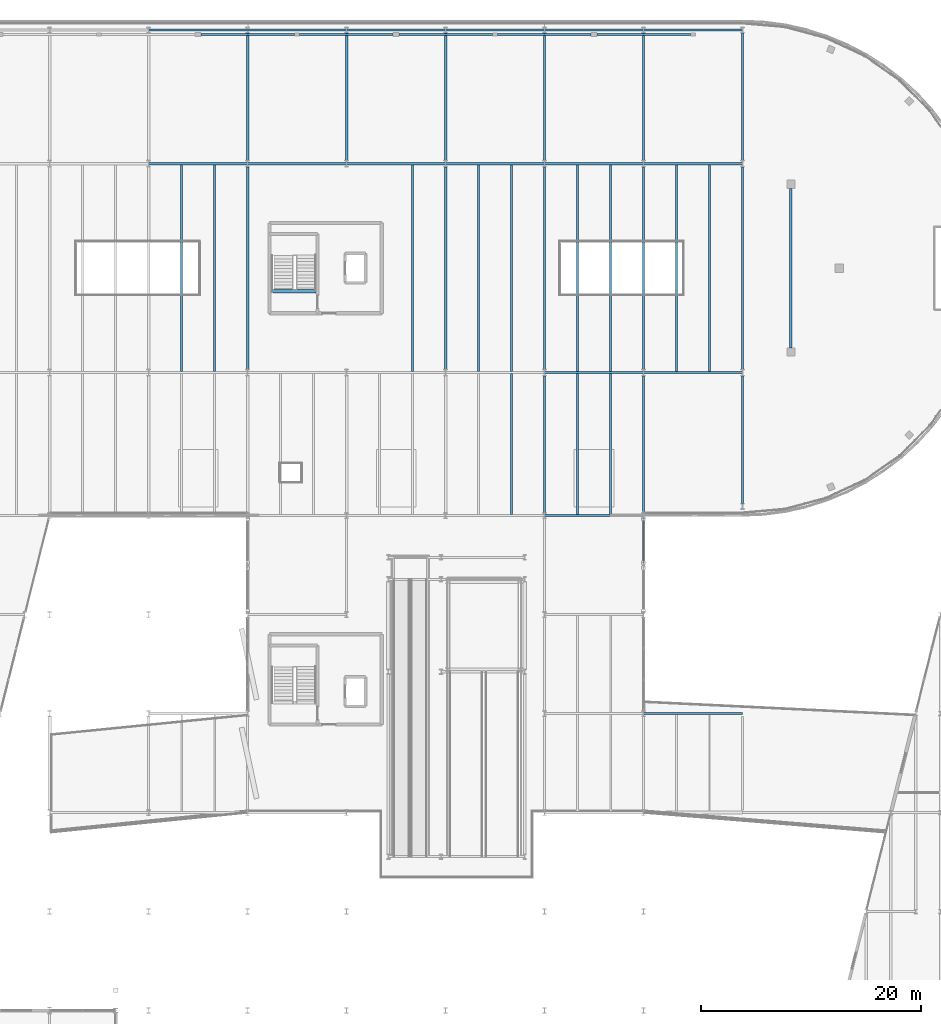
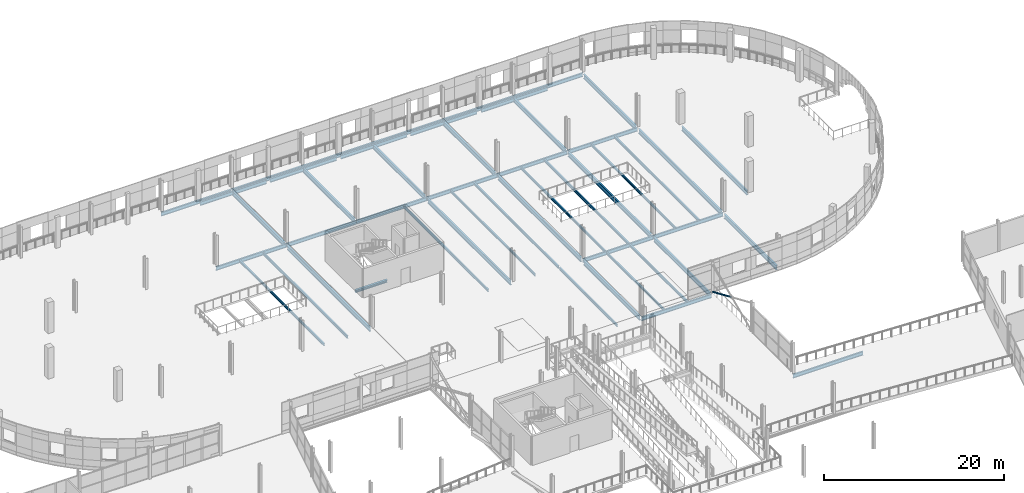
# One storey, part 75 of 135: 49 beams, 1 member.
"""IFC4 building model written with IfcOpenShell, lengths in metres."""

import ifcopenshell
import ifcopenshell.guid

model = None  # the IFC model being written
_history = None  # IfcOwnerHistory: only IFC2X3 demands one
_inside = {}  # id of a spatial element -> (the spatial element, [elements in it])
_under = {}  # id of a project, library or spatial element -> (it, [spatial elements below it])
_declared = {}  # id of a project -> (the project, [libraries it declares])
_typed = {}  # id of a type object -> (the type object, [elements of that type])
_made_of = {}  # id of a material, layer set ... -> (it, [elements and type objects made of it])


def new_model(schema):
    """Start an empty IFC model of exactly this schema.

    Asked for "IFC4X3", IfcOpenShell would pick the latest addendum, in which some entities
    have other attributes; the version numbers below select the first issue.
    IFC2X3 requires an IfcOwnerHistory on every rooted entity: one is made here for all.
    """
    global model, _history
    if schema == "IFC4X3":
        model = ifcopenshell.file(schema_version=(4, 3, 0, 0))
    else:
        model = ifcopenshell.file(schema=schema)
    _inside.clear()
    _under.clear()
    _declared.clear()
    _typed.clear()
    _made_of.clear()
    _history = None
    if model.schema == "IFC2X3":
        org = make("IfcOrganization", Name="unknown")
        user = make(
            "IfcPersonAndOrganization",
            ThePerson=make("IfcPerson", FamilyName="unknown"),
            TheOrganization=org,
        )
        app = make(
            "IfcApplication",
            ApplicationDeveloper=org,
            Version="unknown",
            ApplicationFullName="unknown",
            ApplicationIdentifier="unknown",
        )
        _history = make(
            "IfcOwnerHistory",
            OwningUser=user,
            OwningApplication=app,
            ChangeAction="ADDED",
            CreationDate=0,
        )
    return model


def make(cls, **values):
    """One entity of the class cls with the attributes given. An attribute that is None is left unset."""
    return model.create_entity(
        cls, **{name: value for name, value in values.items() if value is not None}
    )


def rooted(cls, **values):
    """An entity with a GlobalId (a new one), such as an element, a storey or a relation."""
    return make(cls, GlobalId=ifcopenshell.guid.new(), OwnerHistory=_history, **values)


def si_unit(unit_type, name, prefix=None):
    """IfcSIUnit, for example si_unit("LENGTHUNIT", "METRE", prefix="MILLI")."""
    return make("IfcSIUnit", UnitType=unit_type, Prefix=prefix, Name=name)


def assignment(units):
    """IfcUnitAssignment: the units of a project."""
    return None if units is None else make("IfcUnitAssignment", Units=units)


def point(xyz):
    """IfcCartesianPoint."""
    return None if xyz is None else make("IfcCartesianPoint", Coordinates=xyz)


def direction(xyz):
    """IfcDirection."""
    return None if xyz is None else make("IfcDirection", DirectionRatios=xyz)


def frame(location, z_axis=None, x_axis=None):
    """IfcAxis2Placement3D, a coordinate frame: its origin and axes. An axis left out is left unset."""
    return make(
        "IfcAxis2Placement3D",
        Location=point(location),
        Axis=direction(z_axis),
        RefDirection=direction(x_axis),
    )


def frame_2d(location, x_axis=None):
    """IfcAxis2Placement2D, a coordinate frame in the plane: its origin and x axis."""
    return make(
        "IfcAxis2Placement2D", Location=point(location), RefDirection=direction(x_axis)
    )


def origin():
    """The frame at (0, 0, 0) with its axes left unset."""
    return frame((0.0, 0.0, 0.0))


def origin_2d():
    """The frame at (0, 0) in the plane with its x axis left unset."""
    return frame_2d((0.0, 0.0))


def place(relative_to, where):
    """IfcLocalPlacement: puts the frame where relative to a parent placement (None: the world)."""
    return make(
        "IfcLocalPlacement", PlacementRelTo=relative_to, RelativePlacement=where
    )


def context(
    kind, dimensions, precision=None, world=None, true_north=None, identifier=None
):
    """IfcGeometricRepresentationContext, for example the 3D "Model" context."""
    return make(
        "IfcGeometricRepresentationContext",
        ContextIdentifier=identifier,
        ContextType=kind,
        CoordinateSpaceDimension=dimensions,
        Precision=precision,
        WorldCoordinateSystem=world,
        TrueNorth=true_north,
    )


def subcontext(parent, identifier, kind, view, scale=None):
    """IfcGeometricRepresentationSubContext, for example "Body" below "Model"."""
    return make(
        "IfcGeometricRepresentationSubContext",
        ContextIdentifier=identifier,
        ContextType=kind,
        ParentContext=parent,
        TargetScale=scale,
        TargetView=view,
    )


def project(units=None, contexts=None):
    """IfcProject with its units and contexts."""
    return rooted(
        "IfcProject",
        Name="project",
        RepresentationContexts=contexts,
        UnitsInContext=assignment(units),
    )


def spatial(cls, under=None, at=None, **own):
    """A site, building, storey or space (cls), placed at a placement, below another one or the project."""
    s = rooted(cls, ObjectPlacement=at, **own)
    if under is not None:
        _under.setdefault(under.id(), (under, []))[1].append(s)
    return s


def profile(cls, at=None, kind="AREA", **sizes):
    """A parametric profile (cls). Its sizes go by their IFC names, for example OverallWidth=200.0."""
    return make(cls, ProfileType=kind, Position=at, **sizes)


def hollow_circle(**sizes):
    """IfcCircleHollowProfileDef."""
    return profile("IfcCircleHollowProfileDef", **sizes)


def i_section(**sizes):
    """IfcIShapeProfileDef."""
    return profile("IfcIShapeProfileDef", **sizes)


def extrude(swept, where, along, depth):
    """IfcExtrudedAreaSolid: the profile swept, set in the frame where, extruded along a direction by depth."""
    return make(
        "IfcExtrudedAreaSolid",
        SweptArea=swept,
        Position=where,
        ExtrudedDirection=direction(along),
        Depth=depth,
    )


def shape(context_of_items, identifier, shape_type, items):
    """IfcShapeRepresentation: the items that make up one representation, for example the "Body"."""
    return make(
        "IfcShapeRepresentation",
        ContextOfItems=context_of_items,
        RepresentationIdentifier=identifier,
        RepresentationType=shape_type,
        Items=items,
    )


def material(Name=None, Category=None):
    """IfcMaterial."""
    return make("IfcMaterial", Name=Name, Category=Category)


def material_profile(
    of_material, cross_section, Name=None, Category=None, Priority=None
):
    """IfcMaterialProfile: a cross section and its material."""
    return make(
        "IfcMaterialProfile",
        Name=Name,
        Material=of_material,
        Profile=cross_section,
        Priority=Priority,
        Category=Category,
    )


def profile_set(profiles, Name=None, composite=None):
    """IfcMaterialProfileSet."""
    return make(
        "IfcMaterialProfileSet",
        Name=Name,
        MaterialProfiles=profiles,
        CompositeProfile=composite,
    )


def made_of(thing, what):
    """Note that an element or type object is made of a material, layer set ...; save() writes the relation."""
    if what is not None:
        _made_of.setdefault(what.id(), (what, []))[1].append(thing)
    return thing


def type_object(cls, material=None, **own):
    """A type object (cls), such as IfcWallType, which elements share."""
    return made_of(rooted(cls, **own), material)


def element(
    cls,
    number,
    at=None,
    inside=None,
    cuts=None,
    type_object=None,
    material=None,
    context=None,
    identifier="Body",
    shape_type=None,
    held_by="IfcProductDefinitionShape",
    body=None,
    shapes=None,
    **own,
):
    """One element of the class cls, such as IfcWall. Its Tag is "e" and its number.

    at: its placement. inside: the storey or other place that contains it. cuts: it is an
    opening in that element (IfcRelVoidsElement). A single representation is given by context,
    identifier, shape_type and body (its items); several are given by shapes. held_by: the class
    of the entity that holds the representations. save() writes the other relations.
    """
    e = rooted(cls, Tag="e%d" % number, ObjectPlacement=at, **own)
    if body is not None:
        shapes = [shape(context, identifier, shape_type, body)]
    if shapes is not None:
        e.Representation = make(held_by, Representations=shapes)
    if inside is not None:
        _inside.setdefault(inside.id(), (inside, []))[1].append(e)
    if cuts is not None:
        rooted(
            "IfcRelVoidsElement", RelatingBuildingElement=cuts, RelatedOpeningElement=e
        )
    if type_object is not None:
        _typed.setdefault(type_object.id(), (type_object, []))[1].append(e)
    return made_of(e, material)


def aggregate(whole, parts):
    """IfcRelAggregates: a whole, such as a stair, and the parts it consists of."""
    return rooted("IfcRelAggregates", RelatingObject=whole, RelatedObjects=parts)


def save(model, path):
    """Write the relations noted so far, then the file.

    IfcRelAggregates (storeys below a building ...), IfcRelContainedInSpatialStructure (elements
    in a storey), IfcRelDefinesByType, IfcRelAssociatesMaterial and IfcRelDeclares: one each for
    every whole, place, type object, material and project.
    """
    for whole, parts in _under.values():
        aggregate(whole, parts)
    for where, things in _inside.values():
        rooted(
            "IfcRelContainedInSpatialStructure",
            RelatedElements=things,
            RelatingStructure=where,
        )
    for kind, things in _typed.values():
        rooted("IfcRelDefinesByType", RelatedObjects=things, RelatingType=kind)
    for what, things in _made_of.values():
        rooted("IfcRelAssociatesMaterial", RelatedObjects=things, RelatingMaterial=what)
    for by, libraries in _declared.values():
        rooted("IfcRelDeclares", RelatingContext=by, RelatedDefinitions=libraries)
    model.write(path)


model = new_model("IFC4")

# Units and contexts
model_context = context("Model", 3, precision=1e-05, world=origin(), true_north=direction((0.0, 1.0)))
body_context = subcontext(model_context, "Body", "Model", "MODEL_VIEW")
ifc_project = project(units=[si_unit("LENGTHUNIT", "METRE"), si_unit("AREAUNIT", "SQUARE_METRE"), si_unit("VOLUMEUNIT", "CUBIC_METRE"), si_unit("PLANEANGLEUNIT", "RADIAN"), si_unit("MASSUNIT", "GRAM", prefix="KILO")], contexts=[model_context])

# Site, building, storey
site_placement = place(None, origin())
site = spatial("IfcSite", under=ifc_project, at=site_placement, CompositionType="ELEMENT")
building_placement = place(site_placement, origin())
building = spatial("IfcBuilding", under=site, at=building_placement, Name="Deido Ridge Mobility Hub", CompositionType="ELEMENT")
storey_placement = place(building_placement, frame((0.0, 0.0, 4.199951171875)))
storey = spatial("IfcBuildingStorey", under=building, at=storey_placement, Name="L01", CompositionType="ELEMENT", Elevation=4.199951171875)

# Beams
ifc_material_1 = material(Name="Steel S355J2 EN 10025-2", Category="steel")
ifc_material_profile_1 = material_profile(ifc_material_1, i_section(OverallWidth=0.300048828125, OverallDepth=0.330078125, WebThickness=0.009521484375, FlangeThickness=0.0166015625, FilletRadius=0.027099609375, at=origin_2d()), Name="HEA 340")
ifc_profile_set_1 = profile_set([ifc_material_profile_1], Name="Steel S355J2 EN 10025-2")
beam_type_1 = type_object("IfcBeamType", Name="BM-HEA340", PredefinedType="BEAM", material=ifc_profile_set_1)
beam_1_placement = place(storey_placement, frame((74.14990234375, 101.39990234375, -0.4150390625), z_axis=(1.0, 0.0, 0.0), x_axis=(0.0, 1.0, 0.0)))
element("IfcBeam", 1, at=beam_1_placement, inside=storey, type_object=beam_type_1, Name="C5 stair landing trimmer beam B6", PredefinedType="BEAM", context=body_context, shape_type="SweptSolid", body=[
    extrude(i_section(OverallWidth=0.300048828125, OverallDepth=0.330078125, WebThickness=0.009521484375, FlangeThickness=0.0166015625, FilletRadius=0.027099609375, at=origin_2d()), origin(), (0.0, 0.0, 1.0), 4.085205078125),
])
ifc_material_profile_2 = material_profile(ifc_material_1, i_section(OverallWidth=0.199951171875, OverallDepth=0.5, WebThickness=0.01025390625, FlangeThickness=0.01611328125, FilletRadius=0.02099609375, at=origin_2d()), Name="IPE 500")
ifc_profile_set_2 = profile_set([ifc_material_profile_2], Name="Steel S355J2 EN 10025-2")
beam_type_2 = type_object("IfcBeamType", Name="BM-IPE500", PredefinedType="BEAM", material=ifc_profile_set_2)
for number, where, z_axis, x_axis, name in (
    (2, (108.007080078125, 63.0, -0.5), (1.0, 0.0, 0.0), (0.0, 1.0, 0.0), "Floor beam B3"),
    (3, (99.007080078125, 81.0, -0.5), (1.0, 0.0, 0.0), (0.0, 1.0, 0.0), "Floor beam B3"),
):
    element("IfcBeam", number, at=place(storey_placement, frame(where, z_axis=z_axis, x_axis=x_axis)), inside=storey, type_object=beam_type_2, Name=name, PredefinedType="BEAM", context=body_context, shape_type="SweptSolid", body=[
        extrude(i_section(OverallWidth=0.199951171875, OverallDepth=0.5, WebThickness=0.01025390625, FlangeThickness=0.01611328125, FilletRadius=0.02099609375, at=origin_2d()), origin(), (0.0, 0.0, 1.0), 8.98583984375),
    ])
for number, where, z_axis, x_axis, name in (
    (4, (99.0078125, 94.0, -0.5), (1.0, 0.0, 0.0), (0.0, 1.0, 0.0), "Floor beam B3"),
    (5, (108.0078125, 94.0, -0.5), (1.0, 0.0, 0.0), (0.0, 1.0, 0.0), "Floor beam B3"),
    (6, (63.0078125, 113.0, -0.5), (1.0, 0.0, 0.0), (0.0, 1.0, 0.0), "Floor beam B3"),
    (7, (72.0078125, 113.0, -0.5), (1.0, 0.0, 0.0), (0.0, 1.0, 0.0), "Floor beam B3"),
    (8, (81.0078125, 113.0, -0.5), (1.0, 0.0, 0.0), (0.0, 1.0, 0.0), "Floor beam B3"),
    (9, (90.0078125, 113.0, -0.5), (1.0, 0.0, 0.0), (0.0, 1.0, 0.0), "Floor beam B3"),
    (10, (99.0078125, 113.0, -0.5), (1.0, 0.0, 0.0), (0.0, 1.0, 0.0), "Floor beam B3"),
    (11, (108.0078125, 113.0, -0.5), (1.0, 0.0, 0.0), (0.0, 1.0, 0.0), "Floor beam B3"),
):
    element("IfcBeam", number, at=place(storey_placement, frame(where, z_axis=z_axis, x_axis=x_axis)), inside=storey, type_object=beam_type_2, Name=name, PredefinedType="BEAM", context=body_context, shape_type="SweptSolid", body=[
        extrude(i_section(OverallWidth=0.199951171875, OverallDepth=0.5, WebThickness=0.01025390625, FlangeThickness=0.01611328125, FilletRadius=0.02099609375, at=origin_2d()), origin(), (0.0, 0.0, 1.0), 8.984375),
    ])
for number, where, z_axis, x_axis, name in (
    (12, (63.007080078125, 125.14990234375, -0.5), (1.0, 0.0, 0.0), (0.0, 1.0, 0.0), "Floor beam B3"),
    (13, (72.007080078125, 125.14990234375, -0.5), (1.0, 0.0, 0.0), (0.0, 1.0, 0.0), "Floor beam B3"),
    (14, (81.007080078125, 125.14990234375, -0.5), (1.0, 0.0, 0.0), (0.0, 1.0, 0.0), "Floor beam B3"),
    (15, (90.007080078125, 125.14990234375, -0.5), (1.0, 0.0, 0.0), (0.0, 1.0, 0.0), "Floor beam B3"),
    (16, (99.007080078125, 125.14990234375, -0.5), (1.0, 0.0, 0.0), (0.0, 1.0, 0.0), "Floor beam B3"),
    (17, (108.007080078125, 125.14990234375, -0.5), (1.0, 0.0, 0.0), (0.0, 1.0, 0.0), "Floor beam B3"),
):
    element("IfcBeam", number, at=place(storey_placement, frame(where, z_axis=z_axis, x_axis=x_axis)), inside=storey, type_object=beam_type_2, Name=name, PredefinedType="BEAM", context=body_context, shape_type="SweptSolid", body=[
        extrude(i_section(OverallWidth=0.199951171875, OverallDepth=0.5, WebThickness=0.01025390625, FlangeThickness=0.01611328125, FilletRadius=0.02099609375, at=origin_2d()), origin(), (0.0, 0.0, 1.0), 8.98583984375),
    ])
for number, where, z_axis, x_axis, name in (
    (18, (67.77490234375, 124.75, -0.5), (1.0, 0.0, 0.0), (0.0, 1.0, 0.0), "Floor beam B3"),
    (19, (76.72509765625, 124.75, -0.5), (1.0, 0.0, 0.0), (0.0, 1.0, 0.0), "Floor beam B3"),
    (20, (85.77490234375, 124.75, -0.5), (1.0, 0.0, 0.0), (0.0, 1.0, 0.0), "Floor beam B3"),
    (21, (94.72509765625, 124.75, -0.5), (1.0, 0.0, 0.0), (0.0, 1.0, 0.0), "Floor beam B3"),
    (22, (103.77490234375, 124.75, -0.5), (1.0, 0.0, 0.0), (0.0, 1.0, 0.0), "Floor beam B3"),
):
    element("IfcBeam", number, at=place(storey_placement, frame(where, z_axis=z_axis, x_axis=x_axis)), inside=storey, type_object=beam_type_2, Name=name, PredefinedType="BEAM", context=body_context, shape_type="SweptSolid", body=[
        extrude(i_section(OverallWidth=0.199951171875, OverallDepth=0.5, WebThickness=0.01025390625, FlangeThickness=0.01611328125, FilletRadius=0.02099609375, at=origin_2d()), origin(), (0.0, 0.0, 1.0), 8.5),
    ])
ifc_material_profile_3 = material_profile(ifc_material_1, i_section(OverallWidth=0.219970703125, OverallDepth=0.60009765625, WebThickness=0.011962890625, FlangeThickness=0.01904296875, FilletRadius=0.02392578125, at=origin_2d()), Name="IPE 600")
ifc_profile_set_3 = profile_set([ifc_material_profile_3], Name="Steel S355J2 EN 10025-2")
beam_type_3 = type_object("IfcBeamType", Name="BM-IPE600", PredefinedType="BEAM", material=ifc_profile_set_3)
beam_2_placement = place(storey_placement, frame((72.0, 94.300048828125, -0.550048828125), z_axis=(0.0, 1.0, 0.0), x_axis=(-1.0, 0.0, 0.0)))
element("IfcBeam", 23, at=beam_2_placement, inside=storey, type_object=beam_type_3, Name="Floor beam B1", PredefinedType="BEAM", context=body_context, shape_type="SweptSolid", body=[
    extrude(i_section(OverallWidth=0.219970703125, OverallDepth=0.60009765625, WebThickness=0.011962890625, FlangeThickness=0.01904296875, FilletRadius=0.02392578125, at=origin_2d()), origin(), (0.0, 0.0, 1.0), 18.39990234375),
])
for number, where, z_axis, x_axis, name in (
    (24, (72.0, 113.300048828125, -0.550048828125), (0.0, 1.0, 0.0), (-1.0, 0.0, 0.0), "Floor beam B1"),
    (25, (81.0, 113.300048828125, -0.550048828125), (0.0, 1.0, 0.0), (-1.0, 0.0, 0.0), "Floor beam B1"),
):
    element("IfcBeam", number, at=place(storey_placement, frame(where, z_axis=z_axis, x_axis=x_axis)), inside=storey, type_object=beam_type_3, Name=name, PredefinedType="BEAM", context=body_context, shape_type="SweptSolid", body=[
        extrude(i_section(OverallWidth=0.219970703125, OverallDepth=0.60009765625, WebThickness=0.011962890625, FlangeThickness=0.01904296875, FilletRadius=0.02392578125, at=origin_2d()), origin(), (0.0, 0.0, 1.0), 11.599853515625),
    ])
beam_3_placement = place(storey_placement, frame((90.0, 94.300048828125, -0.550048828125), z_axis=(0.0, 1.0, 0.0), x_axis=(-1.0, 0.0, 0.0)))
element("IfcBeam", 26, at=beam_3_placement, inside=storey, type_object=beam_type_3, Name="Floor beam B1", PredefinedType="BEAM", context=body_context, shape_type="SweptSolid", body=[
    extrude(i_section(OverallWidth=0.219970703125, OverallDepth=0.60009765625, WebThickness=0.011962890625, FlangeThickness=0.01904296875, FilletRadius=0.02392578125, at=origin_2d()), origin(), (0.0, 0.0, 1.0), 18.39990234375),
])
beam_4_placement = place(storey_placement, frame((90.0, 113.300048828125, -0.550048828125), z_axis=(0.0, 1.0, 0.0), x_axis=(-1.0, 0.0, 0.0)))
element("IfcBeam", 27, at=beam_4_placement, inside=storey, type_object=beam_type_3, Name="Floor beam B1", PredefinedType="BEAM", context=body_context, shape_type="SweptSolid", body=[
    extrude(i_section(OverallWidth=0.219970703125, OverallDepth=0.60009765625, WebThickness=0.011962890625, FlangeThickness=0.01904296875, FilletRadius=0.02392578125, at=origin_2d()), origin(), (0.0, 0.0, 1.0), 11.599853515625),
])
beam_5_placement = place(storey_placement, frame((99.0, 81.25, -0.550048828125), z_axis=(0.0, 1.0, 0.0), x_axis=(-1.0, 0.0, 0.0)))
element("IfcBeam", 28, at=beam_5_placement, inside=storey, type_object=beam_type_3, Name="Floor beam B1", PredefinedType="BEAM", context=body_context, shape_type="SweptSolid", body=[
    extrude(i_section(OverallWidth=0.219970703125, OverallDepth=0.60009765625, WebThickness=0.011962890625, FlangeThickness=0.01904296875, FilletRadius=0.02392578125, at=origin_2d()), origin(), (0.0, 0.0, 1.0), 12.449951171875),
])
beam_6_placement = place(storey_placement, frame((99.0, 94.300048828125, -0.550048828125), z_axis=(0.0, 1.0, 0.0), x_axis=(-1.0, 0.0, 0.0)))
element("IfcBeam", 29, at=beam_6_placement, inside=storey, type_object=beam_type_3, Name="Floor beam B1", PredefinedType="BEAM", context=body_context, shape_type="SweptSolid", body=[
    extrude(i_section(OverallWidth=0.219970703125, OverallDepth=0.60009765625, WebThickness=0.011962890625, FlangeThickness=0.01904296875, FilletRadius=0.02392578125, at=origin_2d()), origin(), (0.0, 0.0, 1.0), 18.39990234375),
])
beam_7_placement = place(storey_placement, frame((99.0, 113.300048828125, -0.550048828125), z_axis=(0.0, 1.0, 0.0), x_axis=(-1.0, 0.0, 0.0)))
element("IfcBeam", 30, at=beam_7_placement, inside=storey, type_object=beam_type_3, Name="Floor beam B1", PredefinedType="BEAM", context=body_context, shape_type="SweptSolid", body=[
    extrude(i_section(OverallWidth=0.219970703125, OverallDepth=0.60009765625, WebThickness=0.011962890625, FlangeThickness=0.01904296875, FilletRadius=0.02392578125, at=origin_2d()), origin(), (0.0, 0.0, 1.0), 11.599853515625),
])
beam_8_placement = place(storey_placement, frame((108.0, 81.25, -0.550048828125), z_axis=(0.0, 1.0, 0.0), x_axis=(-1.0, 0.0, 0.0)))
element("IfcBeam", 31, at=beam_8_placement, inside=storey, type_object=beam_type_3, Name="Floor beam B1", PredefinedType="BEAM", context=body_context, shape_type="SweptSolid", body=[
    extrude(i_section(OverallWidth=0.219970703125, OverallDepth=0.60009765625, WebThickness=0.011962890625, FlangeThickness=0.01904296875, FilletRadius=0.02392578125, at=origin_2d()), origin(), (0.0, 0.0, 1.0), 12.449951171875),
])
beam_9_placement = place(storey_placement, frame((108.0, 94.300048828125, -0.550048828125), z_axis=(0.0, 1.0, 0.0), x_axis=(-1.0, 0.0, 0.0)))
element("IfcBeam", 32, at=beam_9_placement, inside=storey, type_object=beam_type_3, Name="Floor beam B1", PredefinedType="BEAM", context=body_context, shape_type="SweptSolid", body=[
    extrude(i_section(OverallWidth=0.219970703125, OverallDepth=0.60009765625, WebThickness=0.011962890625, FlangeThickness=0.01904296875, FilletRadius=0.02392578125, at=origin_2d()), origin(), (0.0, 0.0, 1.0), 18.39990234375),
])
for number, where, z_axis, x_axis, name in (
    (33, (108.0, 113.300048828125, -0.550048828125), (0.0, 1.0, 0.0), (-1.0, 0.0, 0.0), "Floor beam B1"),
    (34, (117.0, 82.10009765625, -0.550048828125), (0.0, 1.0, 0.0), (-1.0, 0.0, 0.0), "Floor beam B1"),
):
    element("IfcBeam", number, at=place(storey_placement, frame(where, z_axis=z_axis, x_axis=x_axis)), inside=storey, type_object=beam_type_3, Name=name, PredefinedType="BEAM", context=body_context, shape_type="SweptSolid", body=[
        extrude(i_section(OverallWidth=0.219970703125, OverallDepth=0.60009765625, WebThickness=0.011962890625, FlangeThickness=0.01904296875, FilletRadius=0.02392578125, at=origin_2d()), origin(), (0.0, 0.0, 1.0), 11.599853515625),
    ])
beam_10_placement = place(storey_placement, frame((117.0, 94.300048828125, -0.550048828125), z_axis=(0.0, 1.0, 0.0), x_axis=(-1.0, 0.0, 0.0)))
element("IfcBeam", 35, at=beam_10_placement, inside=storey, type_object=beam_type_3, Name="Floor beam B1", PredefinedType="BEAM", context=body_context, shape_type="SweptSolid", body=[
    extrude(i_section(OverallWidth=0.219970703125, OverallDepth=0.60009765625, WebThickness=0.011962890625, FlangeThickness=0.01904296875, FilletRadius=0.02392578125, at=origin_2d()), origin(), (0.0, 0.0, 1.0), 18.39990234375),
])
beam_11_placement = place(storey_placement, frame((117.0, 113.300048828125, -0.550048828125), z_axis=(0.0, 1.0, 0.0), x_axis=(-1.0, 0.0, 0.0)))
element("IfcBeam", 36, at=beam_11_placement, inside=storey, type_object=beam_type_3, Name="Floor beam B1", PredefinedType="BEAM", context=body_context, shape_type="SweptSolid", body=[
    extrude(i_section(OverallWidth=0.219970703125, OverallDepth=0.60009765625, WebThickness=0.011962890625, FlangeThickness=0.01904296875, FilletRadius=0.02392578125, at=origin_2d()), origin(), (0.0, 0.0, 1.0), 11.599853515625),
])
beam_12_placement = place(storey_placement, frame((121.39990234375, 96.2548828125, -0.550048828125), z_axis=(0.0, 1.0, 0.0), x_axis=(-1.0, 0.0, 0.0)))
element("IfcBeam", 37, at=beam_12_placement, inside=storey, type_object=beam_type_3, Name="Floor beam B1", PredefinedType="BEAM", context=body_context, shape_type="SweptSolid", body=[
    extrude(i_section(OverallWidth=0.219970703125, OverallDepth=0.60009765625, WebThickness=0.011962890625, FlangeThickness=0.01904296875, FilletRadius=0.02392578125, at=origin_2d()), origin(), (0.0, 0.0, 1.0), 14.490234375),
])
ifc_material_profile_4 = material_profile(ifc_material_1, i_section(OverallWidth=0.159912109375, OverallDepth=0.330078125, WebThickness=0.007568359375, FlangeThickness=0.011474609375, FilletRadius=0.01806640625, at=origin_2d()), Name="IPE 330")
ifc_profile_set_4 = profile_set([ifc_material_profile_4], Name="Steel S355J2 EN 10025-2")
beam_type_4 = type_object("IfcBeamType", Name="JST-IPE330", PredefinedType="JOIST", material=ifc_profile_set_4)
beam_13_placement = place(storey_placement, frame((102.0, 81.10009765625, -0.4150390625), z_axis=(0.0, 1.0, 0.0), x_axis=(-1.0, 0.0, 0.0)))
element("IfcBeam", 38, at=beam_13_placement, inside=storey, type_object=beam_type_4, Name="Composite joist J2", PredefinedType="JOIST", context=body_context, shape_type="SweptSolid", body=[
    extrude(i_section(OverallWidth=0.159912109375, OverallDepth=0.330078125, WebThickness=0.007568359375, FlangeThickness=0.011474609375, FilletRadius=0.01806640625, at=origin_2d()), origin(), (0.0, 0.0, 1.0), 12.7998046875),
])
for number, where, z_axis, x_axis, name in (
    (39, (66.0, 94.10009765625, -0.4150390625), (0.0, 1.0, 0.0), (-1.0, 0.0, 0.0), "Composite joist J2"),
    (40, (93.0, 94.10009765625, -0.4150390625), (0.0, 1.0, 0.0), (-1.0, 0.0, 0.0), "Composite joist J2"),
    (41, (102.0, 94.10009765625, -0.4150390625), (0.0, 1.0, 0.0), (-1.0, 0.0, 0.0), "Composite joist J2"),
    (42, (111.0, 94.10009765625, -0.4150390625), (0.0, 1.0, 0.0), (-1.0, 0.0, 0.0), "Composite joist J2"),
):
    element("IfcBeam", number, at=place(storey_placement, frame(where, z_axis=z_axis, x_axis=x_axis)), inside=storey, type_object=beam_type_4, Name=name, PredefinedType="JOIST", context=body_context, shape_type="SweptSolid", body=[
        extrude(i_section(OverallWidth=0.159912109375, OverallDepth=0.330078125, WebThickness=0.007568359375, FlangeThickness=0.011474609375, FilletRadius=0.01806640625, at=origin_2d()), origin(), (0.0, 0.0, 1.0), 18.7998046875),
    ])
ifc_material_profile_5 = material_profile(ifc_material_1, i_section(OverallWidth=0.169921875, OverallDepth=0.360107421875, WebThickness=0.008056640625, FlangeThickness=0.0126953125, FilletRadius=0.01806640625, at=origin_2d()), Name="IPE 360")
ifc_profile_set_5 = profile_set([ifc_material_profile_5], Name="Steel S355J2 EN 10025-2")
beam_type_5 = type_object("IfcBeamType", Name="JST-IPE360", PredefinedType="JOIST", material=ifc_profile_set_5)
for number, where, z_axis, x_axis, name in (
    (43, (96.0, 81.10009765625, -0.429931640625), (0.0, 1.0, 0.0), (-1.0, 0.0, 0.0), "Composite joist J1"),
    (44, (105.0, 81.10009765625, -0.429931640625), (0.0, 1.0, 0.0), (-1.0, 0.0, 0.0), "Composite joist J1"),
):
    element("IfcBeam", number, at=place(storey_placement, frame(where, z_axis=z_axis, x_axis=x_axis)), inside=storey, type_object=beam_type_5, Name=name, PredefinedType="JOIST", context=body_context, shape_type="SweptSolid", body=[
        extrude(i_section(OverallWidth=0.169921875, OverallDepth=0.360107421875, WebThickness=0.008056640625, FlangeThickness=0.0126953125, FilletRadius=0.01806640625, at=origin_2d()), origin(), (0.0, 0.0, 1.0), 12.7998046875),
    ])
for number, where, z_axis, x_axis, name in (
    (45, (69.0, 94.10009765625, -0.429931640625), (0.0, 1.0, 0.0), (-1.0, 0.0, 0.0), "Composite joist J1"),
    (46, (87.0, 94.10009765625, -0.429931640625), (0.0, 1.0, 0.0), (-1.0, 0.0, 0.0), "Composite joist J1"),
    (47, (96.0, 94.10009765625, -0.429931640625), (0.0, 1.0, 0.0), (-1.0, 0.0, 0.0), "Composite joist J1"),
    (48, (105.0, 94.10009765625, -0.429931640625), (0.0, 1.0, 0.0), (-1.0, 0.0, 0.0), "Composite joist J1"),
    (49, (114.0, 94.10009765625, -0.429931640625), (0.0, 1.0, 0.0), (-1.0, 0.0, 0.0), "Composite joist J1"),
):
    element("IfcBeam", number, at=place(storey_placement, frame(where, z_axis=z_axis, x_axis=x_axis)), inside=storey, type_object=beam_type_5, Name=name, PredefinedType="JOIST", context=body_context, shape_type="SweptSolid", body=[
        extrude(i_section(OverallWidth=0.169921875, OverallDepth=0.360107421875, WebThickness=0.008056640625, FlangeThickness=0.0126953125, FilletRadius=0.01806640625, at=origin_2d()), origin(), (0.0, 0.0, 1.0), 18.7998046875),
    ])

# Member
ifc_material_2 = material(Name="Steel S355J2H EN 10210-1", Category="steel")
ifc_material_profile_6 = material_profile(ifc_material_2, hollow_circle(Radius=0.109619140625, WallThickness=0.010009765625, at=origin_2d()), Name="CHS 219.1x10")
ifc_profile_set_6 = profile_set([ifc_material_profile_6], Name="Steel S355J2H EN 10210-1")
member_type = type_object("IfcMemberType", Name="MEM-BRC-CHS219", PredefinedType="BRACE", material=ifc_profile_set_6)
member_placement = place(storey_placement, frame((108.0, 80.699951171875, 0.179931640625), z_axis=(0.0, -0.917550833654, 0.397618495119), x_axis=(1.0, 0.0, 0.0)))
element("IfcMember", 50, at=member_placement, inside=storey, type_object=member_type, Name="Split X-brace diagonal segment BR2", PredefinedType="BRACE", context=body_context, shape_type="SweptSolid", body=[
    extrude(hollow_circle(Radius=0.109619140625, WallThickness=0.010009765625, at=origin_2d()), origin(), (0.0, 0.0, 1.0), 4.33740234375),
])

save(model, "model.ifc")
